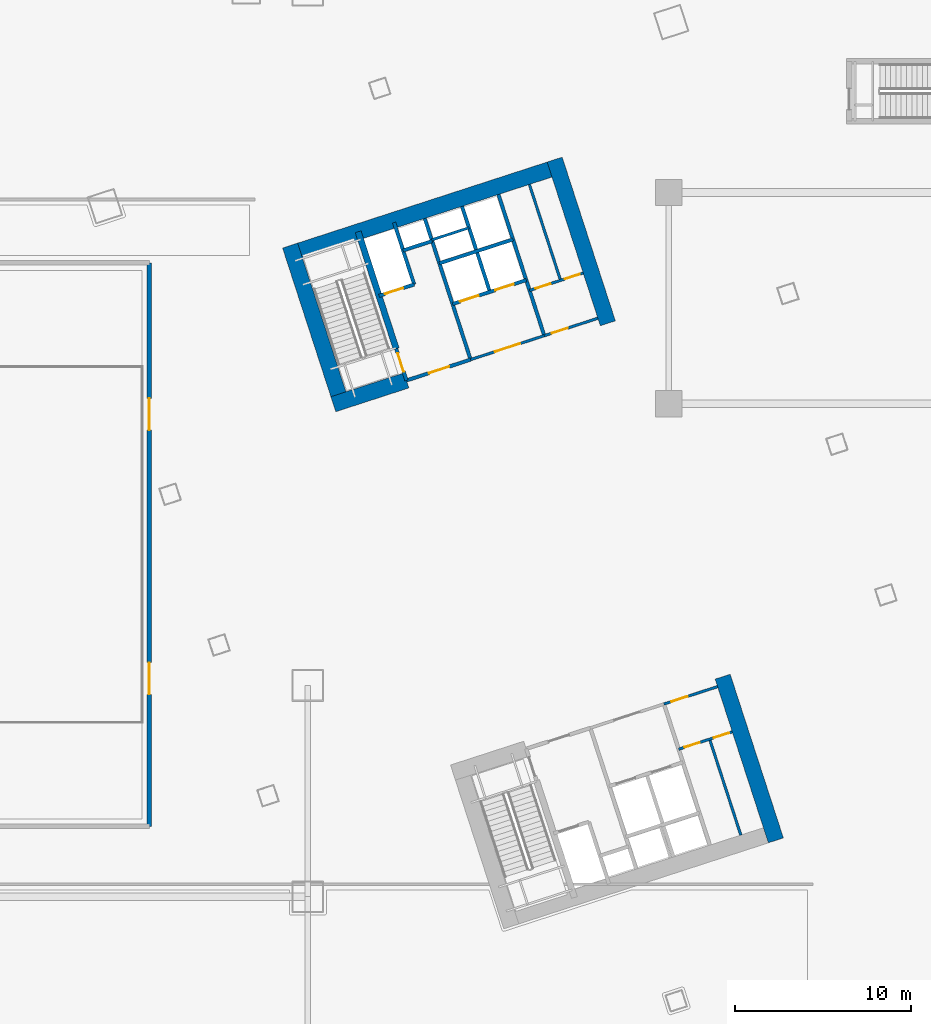
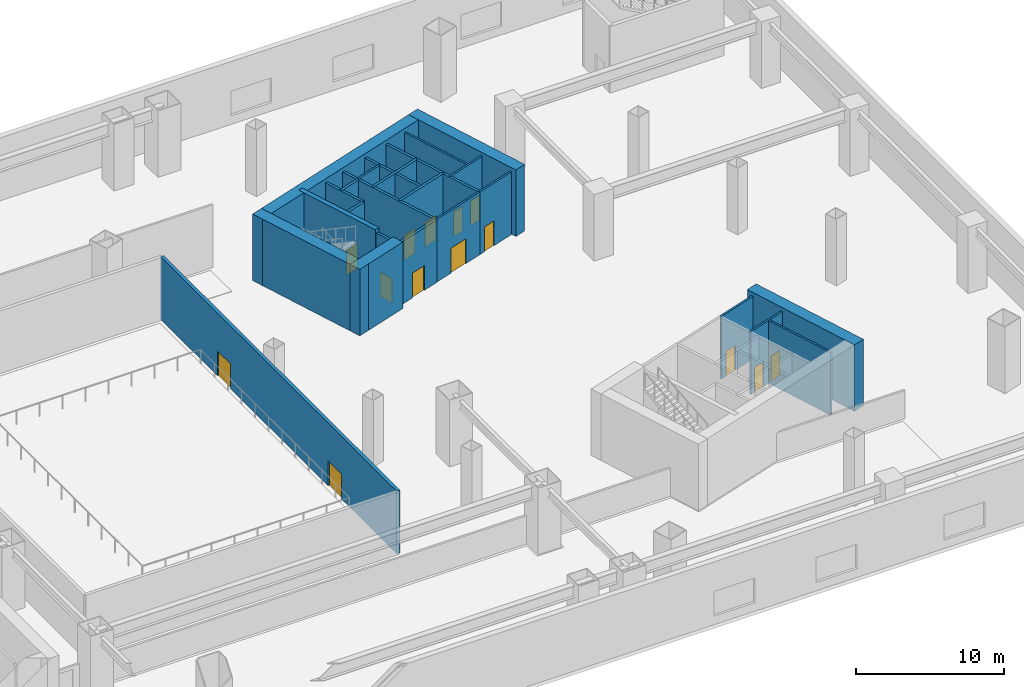
# One storey, part 27 of 35: 25 walls, 14 doors, 14 openings.
"""IFC4 building model written with IfcOpenShell, lengths in metres."""

from ifc_helpers import new_model, si_unit, direction, frame, frame_2d, origin, place, context, subcontext, project, spatial, rectangle, extrude, material, layer, layer_set, type_object, element, fill, save


model = new_model("IFC4")

# Units and contexts
model_context = context("Model", 3, precision=1e-05, world=origin(), true_north=direction((0.0, 1.0)))
body_context = subcontext(model_context, "Body", "Model", "MODEL_VIEW")
ifc_project = project(units=[si_unit("LENGTHUNIT", "METRE"), si_unit("AREAUNIT", "SQUARE_METRE"), si_unit("VOLUMEUNIT", "CUBIC_METRE"), si_unit("PLANEANGLEUNIT", "RADIAN"), si_unit("MASSUNIT", "GRAM", prefix="KILO")], contexts=[model_context])

# Site, building, storey
site_placement = place(None, origin())
site = spatial("IfcSite", under=ifc_project, at=site_placement, CompositionType="ELEMENT")
building_placement = place(site_placement, origin())
building = spatial("IfcBuilding", under=site, at=building_placement, Name="Qiaolan Cultural Towers", CompositionType="ELEMENT")
storey_placement = place(building_placement, frame((0.0, 0.0, 6.0)))
storey = spatial("IfcBuildingStorey", under=building, at=storey_placement, Name="L01", CompositionType="ELEMENT", Elevation=6.0)

# Walls
ifc_material_1 = material(Name="Concrete C50", Category="concrete")
ifc_layer_1 = layer(ifc_material_1, 0.35009765625)
ifc_layer_set_1 = layer_set([ifc_layer_1], Name="Concrete C50")
wall_type_1 = type_object("IfcWallType", Name="WL-CORE-350", PredefinedType="SHEAR", material=ifc_layer_set_1)
wall_1_placement = place(storey_placement, frame((82.513671875, 45.13134765625, 0.0), z_axis=(0.0, 0.0, 1.0), x_axis=(-0.308988790936, 0.951065679686, 0.0)))
element("IfcWall", 1, at=wall_1_placement, inside=storey, type_object=wall_type_1, Name="L01 T2-CN Stair Core Dividing Web", PredefinedType="SHEAR", context=body_context, shape_type="SweptSolid", body=[
    extrude(rectangle(XDim=6.97998046875, YDim=0.35009765625, at=frame_2d((3.489990234375, 0.0))), origin(), (0.0, 0.0, 1.0), 5.5),
])
ifc_material_2 = material(Name="Concrete C60", Category="concrete")
ifc_layer_2 = layer(ifc_material_2, 0.89990234375)
ifc_layer_set_2 = layer_set([ifc_layer_2], Name="Concrete C60")
wall_type_2 = type_object("IfcWallType", Name="WL-CORE-900", PredefinedType="SHEAR", material=ifc_layer_set_2)
wall_2_placement = place(storey_placement, frame((101.058837890625, 26.500244140625, 0.0), z_axis=(0.0, 0.0, 1.0), x_axis=(0.309021722829, -0.951054979914, 0.0)))
element("IfcWall", 2, at=wall_2_placement, inside=storey, type_object=wall_type_2, Name="L01 T2-CS East Core Shear Wall", PredefinedType="SHEAR", context=body_context, shape_type="SweptSolid", body=[
    extrude(rectangle(XDim=9.780029296875, YDim=0.89990234375, at=frame_2d((4.89013671875, 0.0))), origin(), (0.0, 0.0, 1.0), 5.5),
])
wall_3_placement = place(storey_placement, frame((76.20068359375, 50.41943359375, 0.0), z_axis=(0.0, 0.0, 1.0), x_axis=(0.951056412142, 0.309017314926, 0.0)))
element("IfcWall", 3, at=wall_3_placement, inside=storey, type_object=wall_type_2, Name="L01 T2-CN Outer Core Shear Wall", PredefinedType="SHEAR", context=body_context, shape_type="SweptSolid", body=[
    extrude(rectangle(XDim=16.7001953125, YDim=0.89990234375, at=frame_2d((8.35009765625, 0.0))), origin(), (0.0, 0.0, 1.0), 5.5),
])
for number, where, z_axis, x_axis, name in (
    (4, (79.511962890625, 41.68505859375, 0.0), (0.0, 0.0, 1.0), (-0.309021722829, 0.951054979914, 0.0), "L01 T2-CN West Core Shear Wall"),
    (5, (94.53857421875, 46.567626953125, 0.0), (0.0, 0.0, 1.0), (-0.309021722829, 0.951054979914, 0.0), "L01 T2-CN East Core Shear Wall"),
):
    element("IfcWall", number, at=place(storey_placement, frame(where, z_axis=z_axis, x_axis=x_axis)), inside=storey, type_object=wall_type_2, Name=name, PredefinedType="SHEAR", context=body_context, shape_type="SweptSolid", body=[
        extrude(rectangle(XDim=9.780029296875, YDim=0.89990234375, at=frame_2d((4.89013671875, 0.0))), origin(), (0.0, 0.0, 1.0), 5.5),
    ])
wall_4_placement = place(storey_placement, frame((78.94482421875, 41.97412109375, 0.0), z_axis=(0.0, 0.0, 1.0), x_axis=(0.951058289404, 0.309011537255, 0.0)))
element("IfcWall", 6, at=wall_4_placement, inside=storey, type_object=wall_type_2, Name="L01 T2-CN Stair Front Shear Wall", PredefinedType="SHEAR", context=body_context, shape_type="SweptSolid", body=[
    extrude(rectangle(XDim=4.369873046875, YDim=0.89990234375, at=frame_2d((2.18505859375, 0.0))), origin(), (0.0, 0.0, 1.0), 5.5),
])

# Wall, opening, door
ifc_material_3 = material(Name="Concrete C35 Fire Wall", Category="concrete")
ifc_layer_3 = layer(ifc_material_3, 0.199951171875)
ifc_layer_set_3 = layer_set([ifc_layer_3], Name="Concrete C35 Fire Wall")
wall_type_3 = type_object("IfcWallType", Name="WL-FIRE-200", PredefinedType="PARTITIONING", material=ifc_layer_set_3)
wall_5_placement = place(storey_placement, frame((83.100830078125, 43.324462890625, 0.0), z_axis=(0.0, 0.0, 1.0), x_axis=(-0.309048298632, 0.951046344356, 0.0)))
wall_5 = element("IfcWall", 7, at=wall_5_placement, inside=storey, type_object=wall_type_3, Name="L01 T2-CN Smokeproof Stair Entry Wall", PredefinedType="PARTITIONING", context=body_context, shape_type="SweptSolid", body=[
    extrude(rectangle(XDim=1.89990234375, YDim=0.199951171875, at=frame_2d((0.949951171875, 0.0))), origin(), (0.0, 0.0, 1.0), 5.18505859375),
])
opening_1_placement = place(wall_5_placement, frame((0.52001953125, 0.0, 0.0)))
opening_1 = element("IfcOpeningElement", 8, at=opening_1_placement, cuts=wall_5, Name="Opening FD-04", PredefinedType="OPENING", context=body_context, shape_type="SweptSolid", body=[
    extrude(rectangle(XDim=1.10009765625, YDim=2.050048828125, at=frame_2d((0.550048828125, 1.02490234375))), frame((0.0, 0.10986328125, 0.0), z_axis=(0.0, -1.0, 0.0), x_axis=(1.0, 0.0, 0.0)), (0.0, 0.0, 1.0), 0.219970703125),
])
ifc_material_4 = material(Name="Galvanized Steel Command Fire Door", Category="steel")
door_type_1 = type_object("IfcDoorType", Name="DR-FD90-1100", OperationType="NOTDEFINED", PredefinedType="DOOR", material=ifc_material_4)
door_1_placement = place(opening_1_placement, origin())
door_1 = element("IfcDoor", 9, at=door_1_placement, inside=storey, type_object=door_type_1, Name="L01 ST-E2 Smokeproof Stair Fire Door", OperationType="SINGLE_SWING_LEFT", OverallHeight=2.050048828125, OverallWidth=1.10009765625, PredefinedType="DOOR", context=body_context, shape_type="SweptSolid", body=[
    extrude(rectangle(XDim=1.10009765625, YDim=2.050048828125, at=frame_2d((0.550048828125, 1.02490234375))), frame((0.0, 0.02490234375, 0.0), z_axis=(0.0, -1.0, 0.0), x_axis=(1.0, 0.0, 0.0)), (0.0, 0.0, 1.0), 0.050048828125),
])
fill(opening_1, door_1)

# Wall
wall_6_placement = place(storey_placement, frame((86.743408203125, 44.508056640625, 0.0), z_axis=(0.0, 0.0, 1.0), x_axis=(-0.309016001439, 0.951056838919, 0.0)))
element("IfcWall", 10, at=wall_6_placement, inside=storey, type_object=wall_type_3, Name="L01 T2-CN Firefighting Zone Wall", PredefinedType="PARTITIONING", context=body_context, shape_type="SweptSolid", body=[
    extrude(rectangle(XDim=8.429931640625, YDim=0.199951171875, at=frame_2d((4.21484375, 0.0))), origin(), (0.0, 0.0, 1.0), 5.18505859375),
])

# Wall, opening, door
wall_7_placement = place(storey_placement, frame((83.100830078125, 43.324462890625, 0.0), z_axis=(0.0, 0.0, 1.0), x_axis=(0.951052804469, 0.309028417967, 0.0)))
wall_7 = element("IfcWall", 11, at=wall_7_placement, inside=storey, type_object=wall_type_3, Name="L01 T2-CN Firefighting Lobby Front Wall", PredefinedType="PARTITIONING", context=body_context, shape_type="SweptSolid", body=[
    extrude(rectangle(XDim=3.830078125, YDim=0.199951171875, at=frame_2d((1.9150390625, 0.0))), origin(), (0.0, 0.0, 1.0), 5.18505859375),
])
opening_2_placement = place(wall_7_placement, frame((1.35009765625, 0.0, 0.0)))
opening_2 = element("IfcOpeningElement", 12, at=opening_2_placement, cuts=wall_7, Name="Opening FD-03", PredefinedType="OPENING", context=body_context, shape_type="SweptSolid", body=[
    extrude(rectangle(XDim=1.199951171875, YDim=2.050048828125, at=frame_2d((0.60009765625, 1.02490234375))), frame((0.0, 0.10986328125, 0.0), z_axis=(0.0, -1.0, 0.0), x_axis=(1.0, 0.0, 0.0)), (0.0, 0.0, 1.0), 0.219970703125),
])
ifc_material_5 = material(Name="Galvanized Steel Smokeproof Lobby Fire Door", Category="steel")
door_type_2 = type_object("IfcDoorType", Name="DR-FD90-1200", OperationType="NOTDEFINED", PredefinedType="DOOR", material=ifc_material_5)
door_2_placement = place(opening_2_placement, origin())
door_2 = element("IfcDoor", 13, at=door_2_placement, inside=storey, type_object=door_type_2, Name="L01 FFL-E2 Firefighting Lobby Fire Door", OperationType="SINGLE_SWING_LEFT", OverallHeight=2.050048828125, OverallWidth=1.199951171875, PredefinedType="DOOR", context=body_context, shape_type="SweptSolid", body=[
    extrude(rectangle(XDim=1.199951171875, YDim=2.050048828125, at=frame_2d((0.60009765625, 1.02490234375))), frame((0.0, 0.02490234375, 0.0), z_axis=(0.0, -1.0, 0.0), x_axis=(1.0, 0.0, 0.0)), (0.0, 0.0, 1.0), 0.050048828125),
])
fill(opening_2, door_2)

wall_8_placement = place(storey_placement, frame((81.540283203125, 48.127197265625, 0.0), z_axis=(0.0, 0.0, 1.0), x_axis=(0.951062257173, 0.308999325213, 0.0)))
wall_8 = element("IfcWall", 14, at=wall_8_placement, inside=storey, type_object=wall_type_3, Name="L01 T2-CN Firefighting Shaft Front Wall", PredefinedType="PARTITIONING", context=body_context, shape_type="SweptSolid", body=[
    extrude(rectangle(XDim=2.10009765625, YDim=0.199951171875, at=frame_2d((1.050048828125, 0.0))), origin(), (0.0, 0.0, 1.0), 5.18505859375),
])
opening_3_placement = place(wall_8_placement, frame((0.35009765625, 0.0, 0.0)))
opening_3 = element("IfcOpeningElement", 15, at=opening_3_placement, cuts=wall_8, Name="Opening LD-01", PredefinedType="OPENING", context=body_context, shape_type="SweptSolid", body=[
    extrude(rectangle(XDim=1.10009765625, YDim=2.050048828125, at=frame_2d((0.550048828125, 1.02490234375))), frame((0.0, 0.10986328125, 0.0), z_axis=(0.0, -1.0, 0.0), x_axis=(1.0, 0.0, 0.0)), (0.0, 0.0, 1.0), 0.219970703125),
])
ifc_material_6 = material(Name="Brushed Stainless Steel S30408 Centre-Parting Lift Landing Door", Category="steel")
door_type_3 = type_object("IfcDoorType", Name="DR-LIFT-1100", OperationType="NOTDEFINED", PredefinedType="DOOR", material=ifc_material_6)
door_3_placement = place(opening_3_placement, origin())
door_3 = element("IfcDoor", 16, at=door_3_placement, inside=storey, type_object=door_type_3, Name="L01 FFL-E2 Firefighting Lift Landing Door", OperationType="DOUBLE_DOOR_SLIDING", OverallHeight=2.050048828125, OverallWidth=1.10009765625, PredefinedType="DOOR", context=body_context, shape_type="SweptSolid", body=[
    extrude(rectangle(XDim=1.10009765625, YDim=2.050048828125, at=frame_2d((0.550048828125, 1.02490234375))), frame((0.0, 0.02490234375, 0.0), z_axis=(0.0, -1.0, 0.0), x_axis=(1.0, 0.0, 0.0)), (0.0, 0.0, 1.0), 0.050048828125),
])
fill(opening_3, door_3)

# Walls
wall_9_placement = place(storey_placement, frame((83.53759765625, 48.776123046875, 0.0), z_axis=(0.0, 0.0, 1.0), x_axis=(-0.3089935693, 0.951064127245, 0.0)))
element("IfcWall", 17, at=wall_9_placement, inside=storey, type_object=wall_type_3, Name="L01 T2-CN Firefighting Hoistway East Wall", PredefinedType="PARTITIONING", context=body_context, shape_type="SweptSolid", body=[
    extrude(rectangle(XDim=3.7001953125, YDim=0.199951171875, at=frame_2d((1.85009765625, 0.0))), origin(), (0.0, 0.0, 1.0), 5.18505859375),
])
wall_10_placement = place(storey_placement, frame((82.910400390625, 50.706787109375, 0.0), z_axis=(0.0, 0.0, 1.0), x_axis=(0.951041328149, 0.309063734775, 0.0)))
element("IfcWall", 18, at=wall_10_placement, inside=storey, type_object=wall_type_3, Name="L01 T2-CN Pressurization Shaft Front Wall", PredefinedType="PARTITIONING", context=body_context, shape_type="SweptSolid", body=[
    extrude(rectangle(XDim=1.72998046875, YDim=0.199951171875, at=frame_2d((0.864990234375, 0.0))), origin(), (0.0, 0.0, 1.0), 5.18505859375),
])
wall_11_placement = place(storey_placement, frame((90.92822265625, 45.86767578125, 0.0), z_axis=(0.0, 0.0, 1.0), x_axis=(-0.309042196757, 0.951048327176, 0.0)))
element("IfcWall", 19, at=wall_11_placement, inside=storey, type_object=wall_type_3, Name="L01 T2-CN Lift Core East Wall", PredefinedType="PARTITIONING", context=body_context, shape_type="SweptSolid", body=[
    extrude(rectangle(XDim=8.429931640625, YDim=0.199951171875, at=frame_2d((4.21484375, 0.0))), origin(), (0.0, 0.0, 1.0), 5.18505859375),
])

# Wall, openings, doors
wall_12_placement = place(storey_placement, frame((85.717529296875, 47.66552734375, 0.0), z_axis=(0.0, 0.0, 1.0), x_axis=(0.951058531764, 0.30901079133, 0.0)))
wall_12 = element("IfcWall", 20, at=wall_12_placement, inside=storey, type_object=wall_type_3, Name="L01 T2-CN Passenger Lift Shaft Front Wall", PredefinedType="PARTITIONING", context=body_context, shape_type="SweptSolid", body=[
    extrude(rectangle(XDim=4.39990234375, YDim=0.199951171875, at=frame_2d((2.199951171875, 0.0))), origin(), (0.0, 0.0, 1.0), 5.18505859375),
])
opening_4_placement = place(wall_12_placement, frame((0.449951171875, 0.0, 0.0)))
opening_4 = element("IfcOpeningElement", 21, at=opening_4_placement, cuts=wall_12, Name="Opening LD-01", PredefinedType="OPENING", context=body_context, shape_type="SweptSolid", body=[
    extrude(rectangle(XDim=1.10009765625, YDim=2.050048828125, at=frame_2d((0.550048828125, 1.02490234375))), frame((0.0, 0.10986328125, 0.0), z_axis=(0.0, -1.0, 0.0), x_axis=(1.0, 0.0, 0.0)), (0.0, 0.0, 1.0), 0.219970703125),
])
opening_5_placement = place(wall_12_placement, frame((2.550048828125, 0.0, 0.0)))
opening_5 = element("IfcOpeningElement", 22, at=opening_5_placement, cuts=wall_12, Name="Opening LD-01", PredefinedType="OPENING", context=body_context, shape_type="SweptSolid", body=[
    extrude(rectangle(XDim=1.10009765625, YDim=2.050048828125, at=frame_2d((0.550048828125, 1.02490234375))), frame((0.0, 0.10986328125, 0.0), z_axis=(0.0, -1.0, 0.0), x_axis=(1.0, 0.0, 0.0)), (0.0, 0.0, 1.0), 0.219970703125),
])
door_4_placement = place(opening_4_placement, origin())
door_4 = element("IfcDoor", 23, at=door_4_placement, inside=storey, type_object=door_type_3, Name="L01 Passenger Lift 1 Landing Door", OperationType="DOUBLE_DOOR_SLIDING", OverallHeight=2.050048828125, OverallWidth=1.10009765625, PredefinedType="DOOR", context=body_context, shape_type="SweptSolid", body=[
    extrude(rectangle(XDim=1.10009765625, YDim=2.050048828125, at=frame_2d((0.550048828125, 1.02490234375))), frame((0.0, 0.02490234375, 0.0), z_axis=(0.0, -1.0, 0.0), x_axis=(1.0, 0.0, 0.0)), (0.0, 0.0, 1.0), 0.050048828125),
])
fill(opening_4, door_4)
door_5_placement = place(opening_5_placement, origin())
door_5 = element("IfcDoor", 24, at=door_5_placement, inside=storey, type_object=door_type_3, Name="L01 Passenger Lift 2 Landing Door", OperationType="DOUBLE_DOOR_SLIDING", OverallHeight=2.050048828125, OverallWidth=1.10009765625, PredefinedType="DOOR", context=body_context, shape_type="SweptSolid", body=[
    extrude(rectangle(XDim=1.10009765625, YDim=2.050048828125, at=frame_2d((0.550048828125, 1.02490234375))), frame((0.0, 0.02490234375, 0.0), z_axis=(0.0, -1.0, 0.0), x_axis=(1.0, 0.0, 0.0)), (0.0, 0.0, 1.0), 0.050048828125),
])
fill(opening_5, door_5)

# Walls
wall_13_placement = place(storey_placement, frame((87.83837890625, 48.3544921875, 0.0), z_axis=(0.0, 0.0, 1.0), x_axis=(-0.3090093719, 0.951058992953, 0.0)))
element("IfcWall", 25, at=wall_13_placement, inside=storey, type_object=wall_type_3, Name="L01 T2-CN Lift Shaft Divider Wall", PredefinedType="PARTITIONING", context=body_context, shape_type="SweptSolid", body=[
    extrude(rectangle(XDim=5.110107421875, YDim=0.199951171875, at=frame_2d((2.55517578125, 0.0))), origin(), (0.0, 0.0, 1.0), 5.18505859375),
])
wall_14_placement = place(storey_placement, frame((84.966552734375, 49.9765625, 0.0), z_axis=(0.0, 0.0, 1.0), x_axis=(0.951063829732, 0.308994485023, 0.0)))
element("IfcWall", 26, at=wall_14_placement, inside=storey, type_object=wall_type_3, Name="L01 T2-CN Passenger Lift Shaft Back Wall", PredefinedType="PARTITIONING", context=body_context, shape_type="SweptSolid", body=[
    extrude(rectangle(XDim=4.400146484375, YDim=0.199951171875, at=frame_2d((2.2001953125, 0.0))), origin(), (0.0, 0.0, 1.0), 5.18505859375),
])

# Wall, openings, doors
wall_15_placement = place(storey_placement, frame((68.5, 18.0, 0.0), z_axis=(0.0, 0.0, 1.0), x_axis=(0.0, 1.0, 0.0)))
wall_15 = element("IfcWall", 27, at=wall_15_placement, inside=storey, type_object=wall_type_3, Name="L01 Podium Partition AUD-E", PredefinedType="PARTITIONING", context=body_context, shape_type="SweptSolid", body=[
    extrude(rectangle(XDim=32.0, YDim=0.25, at=frame_2d((16.0, 0.0))), origin(), (0.0, 0.0, 1.0), 5.18505859375),
])
opening_6_placement = place(wall_15_placement, frame((7.5, 0.0, 0.0)))
opening_6 = element("IfcOpeningElement", 28, at=opening_6_placement, cuts=wall_15, Name="Opening FD-01", PredefinedType="OPENING", context=body_context, shape_type="SweptSolid", body=[
    extrude(rectangle(XDim=1.800048828125, YDim=2.050048828125, at=frame_2d((0.89990234375, 1.02490234375))), frame((0.0, 0.135009765625, 0.0), z_axis=(0.0, -1.0, 0.0), x_axis=(1.0, 0.0, 0.0)), (0.0, 0.0, 1.0), 0.27001953125),
])
opening_7_placement = place(wall_15_placement, frame((22.5, 0.0, 0.0)))
opening_7 = element("IfcOpeningElement", 29, at=opening_7_placement, cuts=wall_15, Name="Opening FD-01", PredefinedType="OPENING", context=body_context, shape_type="SweptSolid", body=[
    extrude(rectangle(XDim=1.800048828125, YDim=2.050048828125, at=frame_2d((0.89990234375, 1.02490234375))), frame((0.0, 0.135009765625, 0.0), z_axis=(0.0, -1.0, 0.0), x_axis=(1.0, 0.0, 0.0)), (0.0, 0.0, 1.0), 0.27001953125),
])
ifc_material_7 = material(Name="Galvanized Steel Acoustic Fire Door", Category="steel")
door_type_4 = type_object("IfcDoorType", Name="DR-FD90-1800", OperationType="NOTDEFINED", PredefinedType="DOOR", material=ifc_material_7)
door_6_placement = place(opening_6_placement, origin())
door_6 = element("IfcDoor", 30, at=door_6_placement, inside=storey, type_object=door_type_4, Name="Auditorium East Acoustic Exit Door 1", OperationType="SINGLE_SWING_LEFT", OverallHeight=2.050048828125, OverallWidth=1.800048828125, PredefinedType="DOOR", context=body_context, shape_type="SweptSolid", body=[
    extrude(rectangle(XDim=1.800048828125, YDim=2.050048828125, at=frame_2d((0.89990234375, 1.02490234375))), frame((0.0, 0.02490234375, 0.0), z_axis=(0.0, -1.0, 0.0), x_axis=(1.0, 0.0, 0.0)), (0.0, 0.0, 1.0), 0.050048828125),
])
fill(opening_6, door_6)
door_7_placement = place(opening_7_placement, origin())
door_7 = element("IfcDoor", 31, at=door_7_placement, inside=storey, type_object=door_type_4, Name="Auditorium East Acoustic Exit Door 2", OperationType="SINGLE_SWING_RIGHT", OverallHeight=2.050048828125, OverallWidth=1.800048828125, PredefinedType="DOOR", context=body_context, shape_type="SweptSolid", body=[
    extrude(rectangle(XDim=1.800048828125, YDim=2.050048828125, at=frame_2d((0.89990234375, 1.02490234375))), frame((0.0, 0.02490234375, 0.0), z_axis=(0.0, -1.0, 0.0), x_axis=(1.0, 0.0, 0.0)), (0.0, 0.0, 1.0), 0.050048828125),
])
fill(opening_7, door_7)

# Wall, opening, door
ifc_material_8 = material(Name="Autoclaved Aerated Concrete Block B06", Category="concrete")
ifc_layer_4 = layer(ifc_material_8, 0.14990234375)
ifc_layer_set_4 = layer_set([ifc_layer_4], Name="Autoclaved Aerated Concrete Block B06")
wall_type_4 = type_object("IfcWallType", Name="WL-PART-150", PredefinedType="PARTITIONING", material=ifc_layer_set_4)
wall_16_placement = place(storey_placement, frame((97.7265625, 24.9443359375, 0.0), z_axis=(0.0, 0.0, 1.0), x_axis=(0.951036872128, 0.309077446369, 0.0)))
wall_16 = element("IfcWall", 32, at=wall_16_placement, inside=storey, type_object=wall_type_4, Name="L01 T2-CS Sanitary Core Front Wall", PredefinedType="PARTITIONING", context=body_context, shape_type="SweptSolid", body=[
    extrude(rectangle(XDim=3.199951171875, YDim=0.14990234375, at=frame_2d((1.60009765625, 0.0))), origin(), (0.0, 0.0, 1.0), 5.18505859375),
])
opening_8_placement = place(wall_16_placement, frame((0.449951171875, 0.0, 0.0)))
opening_8 = element("IfcOpeningElement", 33, at=opening_8_placement, cuts=wall_16, Name="Opening ID-05", PredefinedType="OPENING", context=body_context, shape_type="SweptSolid", body=[
    extrude(rectangle(XDim=0.949951171875, YDim=2.050048828125, at=frame_2d((0.47509765625, 1.02490234375))), frame((0.0, 0.0849609375, 0.0), z_axis=(0.0, -1.0, 0.0), x_axis=(1.0, 0.0, 0.0)), (0.0, 0.0, 1.0), 0.169921875),
])
ifc_material_9 = material(Name="Fire-Rated Laminate Accessible Core Door", Category="timber")
door_type_5 = type_object("IfcDoorType", Name="DR-INT-950", OperationType="NOTDEFINED", PredefinedType="DOOR", material=ifc_material_9)
door_8_placement = place(opening_8_placement, origin())
door_8 = element("IfcDoor", 34, at=door_8_placement, inside=storey, type_object=door_type_5, Name="L01 Sanitary Vestibule Door", OperationType="SINGLE_SWING_LEFT", OverallHeight=2.050048828125, OverallWidth=0.949951171875, PredefinedType="DOOR", context=body_context, shape_type="SweptSolid", body=[
    extrude(rectangle(XDim=0.949951171875, YDim=2.050048828125, at=frame_2d((0.47509765625, 1.02490234375))), frame((0.0, 0.02490234375, 0.0), z_axis=(0.0, -1.0, 0.0), x_axis=(1.0, 0.0, 0.0)), (0.0, 0.0, 1.0), 0.050048828125),
])
fill(opening_8, door_8)

# Wall, openings, doors
wall_17_placement = place(storey_placement, frame((98.560791015625, 22.37646484375, 0.0), z_axis=(0.0, 0.0, 1.0), x_axis=(0.95104415986, 0.309055020985, 0.0)))
wall_17 = element("IfcWall", 35, at=wall_17_placement, inside=storey, type_object=wall_type_4, Name="L01 T2-CS Restroom Vestibule Wall", PredefinedType="PARTITIONING", context=body_context, shape_type="SweptSolid", body=[
    extrude(rectangle(XDim=3.2001953125, YDim=0.14990234375, at=frame_2d((1.60009765625, 0.0))), origin(), (0.0, 0.0, 1.0), 5.18505859375),
])
opening_9_placement = place(wall_17_placement, frame((0.35009765625, 0.0, 0.0)))
opening_9 = element("IfcOpeningElement", 36, at=opening_9_placement, cuts=wall_17, Name="Opening ID-06", PredefinedType="OPENING", context=body_context, shape_type="SweptSolid", body=[
    extrude(rectangle(XDim=0.89990234375, YDim=2.050048828125, at=frame_2d((0.449951171875, 1.02490234375))), frame((0.0, 0.0849609375, 0.0), z_axis=(0.0, -1.0, 0.0), x_axis=(1.0, 0.0, 0.0)), (0.0, 0.0, 1.0), 0.169921875),
])
opening_10_placement = place(wall_17_placement, frame((2.10009765625, 0.0, 0.0)))
opening_10 = element("IfcOpeningElement", 37, at=opening_10_placement, cuts=wall_17, Name="Opening ID-06", PredefinedType="OPENING", context=body_context, shape_type="SweptSolid", body=[
    extrude(rectangle(XDim=0.89990234375, YDim=2.050048828125, at=frame_2d((0.449951171875, 1.02490234375))), frame((0.0, 0.0849609375, 0.0), z_axis=(0.0, -1.0, 0.0), x_axis=(1.0, 0.0, 0.0)), (0.0, 0.0, 1.0), 0.169921875),
])
ifc_material_10 = material(Name="Fire-Rated Laminate Core Service Door", Category="timber")
door_type_6 = type_object("IfcDoorType", Name="DR-INT-900", OperationType="NOTDEFINED", PredefinedType="DOOR", material=ifc_material_10)
door_9_placement = place(opening_9_placement, origin())
door_9 = element("IfcDoor", 38, at=door_9_placement, inside=storey, type_object=door_type_6, Name="L01 Men Restroom Door", OperationType="SINGLE_SWING_LEFT", OverallHeight=2.050048828125, OverallWidth=0.89990234375, PredefinedType="DOOR", context=body_context, shape_type="SweptSolid", body=[
    extrude(rectangle(XDim=0.89990234375, YDim=2.050048828125, at=frame_2d((0.449951171875, 1.02490234375))), frame((0.0, 0.02490234375, 0.0), z_axis=(0.0, -1.0, 0.0), x_axis=(1.0, 0.0, 0.0)), (0.0, 0.0, 1.0), 0.050048828125),
])
fill(opening_9, door_9)
door_10_placement = place(opening_10_placement, origin())
door_10 = element("IfcDoor", 39, at=door_10_placement, inside=storey, type_object=door_type_6, Name="L01 Accessible & Women Restroom Door", OperationType="SINGLE_SWING_RIGHT", OverallHeight=2.050048828125, OverallWidth=0.89990234375, PredefinedType="DOOR", context=body_context, shape_type="SweptSolid", body=[
    extrude(rectangle(XDim=0.89990234375, YDim=2.050048828125, at=frame_2d((0.449951171875, 1.02490234375))), frame((0.0, 0.02490234375, 0.0), z_axis=(0.0, -1.0, 0.0), x_axis=(1.0, 0.0, 0.0)), (0.0, 0.0, 1.0), 0.050048828125),
])
fill(opening_10, door_10)

# Wall
wall_18_placement = place(storey_placement, frame((100.3203125, 22.9482421875, 0.0), z_axis=(0.0, 0.0, 1.0), x_axis=(0.309035009867, -0.951050662518, 0.0)))
element("IfcWall", 40, at=wall_18_placement, inside=storey, type_object=wall_type_4, Name="L01 T2-CS Restroom Divider Wall", PredefinedType="PARTITIONING", context=body_context, shape_type="SweptSolid", body=[
    extrude(rectangle(XDim=5.72998046875, YDim=0.14990234375, at=frame_2d((2.864990234375, 0.0))), origin(), (0.0, 0.0, 1.0), 5.18505859375),
])

# Wall, opening, door
wall_19_placement = place(storey_placement, frame((86.743408203125, 44.508056640625, 0.0), z_axis=(0.0, 0.0, 1.0), x_axis=(0.951063829732, 0.308994485023, 0.0)))
wall_19 = element("IfcWall", 41, at=wall_19_placement, inside=storey, type_object=wall_type_4, Name="L01 T2-CN Passenger Lift Lobby Front Wall", PredefinedType="PARTITIONING", context=body_context, shape_type="SweptSolid", body=[
    extrude(rectangle(XDim=4.400146484375, YDim=0.14990234375, at=frame_2d((2.2001953125, 0.0))), origin(), (0.0, 0.0, 1.0), 5.18505859375),
])
opening_11_placement = place(wall_19_placement, frame((1.449951171875, 0.0, 0.0)))
opening_11 = element("IfcOpeningElement", 42, at=opening_11_placement, cuts=wall_19, Name="Opening FD-05", PredefinedType="OPENING", context=body_context, shape_type="SweptSolid", body=[
    extrude(rectangle(XDim=1.5, YDim=2.050048828125, at=frame_2d((0.75, 1.02490234375))), frame((0.0, 0.0849609375, 0.0), z_axis=(0.0, -1.0, 0.0), x_axis=(1.0, 0.0, 0.0)), (0.0, 0.0, 1.0), 0.169921875),
])
ifc_material_11 = material(Name="Painted Steel Lift Lobby Fire Door", Category="steel")
door_type_7 = type_object("IfcDoorType", Name="DR-FD60-1500", OperationType="NOTDEFINED", PredefinedType="DOOR", material=ifc_material_11)
door_11_placement = place(opening_11_placement, origin())
door_11 = element("IfcDoor", 43, at=door_11_placement, inside=storey, type_object=door_type_7, Name="L01 Passenger Lift Lobby Entrance", OperationType="SINGLE_SWING_LEFT", OverallHeight=2.050048828125, OverallWidth=1.5, PredefinedType="DOOR", context=body_context, shape_type="SweptSolid", body=[
    extrude(rectangle(XDim=1.5, YDim=2.050048828125, at=frame_2d((0.75, 1.02490234375))), frame((0.0, 0.02490234375, 0.0), z_axis=(0.0, -1.0, 0.0), x_axis=(1.0, 0.0, 0.0)), (0.0, 0.0, 1.0), 0.050048828125),
])
fill(opening_11, door_11)

# Wall
wall_20_placement = place(storey_placement, frame((84.533935546875, 51.30810546875, 0.0), z_axis=(0.0, 0.0, 1.0), x_axis=(0.951075093106, 0.308959814982, 0.0)))
element("IfcWall", 44, at=wall_20_placement, inside=storey, type_object=wall_type_4, Name="L01 T2-CN Core Rear Riser Split", PredefinedType="PARTITIONING", context=body_context, shape_type="SweptSolid", body=[
    extrude(rectangle(XDim=2.22998046875, YDim=0.14990234375, at=frame_2d((1.114990234375, 0.0))), origin(), (0.0, 0.0, 1.0), 5.18505859375),
])

# Wall, opening, door
wall_21_placement = place(storey_placement, frame((90.92822265625, 45.86767578125, 0.0), z_axis=(0.0, 0.0, 1.0), x_axis=(0.951059297078, 0.309008435874, 0.0)))
wall_21 = element("IfcWall", 45, at=wall_21_placement, inside=storey, type_object=wall_type_4, Name="L01 T2-CN Sanitary Core Front Wall", PredefinedType="PARTITIONING", context=body_context, shape_type="SweptSolid", body=[
    extrude(rectangle(XDim=3.19970703125, YDim=0.14990234375, at=frame_2d((1.599853515625, 0.0))), origin(), (0.0, 0.0, 1.0), 5.18505859375),
])
opening_12_placement = place(wall_21_placement, frame((0.449951171875, 0.0, 0.0)))
opening_12 = element("IfcOpeningElement", 46, at=opening_12_placement, cuts=wall_21, Name="Opening ID-05", PredefinedType="OPENING", context=body_context, shape_type="SweptSolid", body=[
    extrude(rectangle(XDim=0.949951171875, YDim=2.050048828125, at=frame_2d((0.47509765625, 1.02490234375))), frame((0.0, 0.0849609375, 0.0), z_axis=(0.0, -1.0, 0.0), x_axis=(1.0, 0.0, 0.0)), (0.0, 0.0, 1.0), 0.169921875),
])
door_12_placement = place(opening_12_placement, origin())
door_12 = element("IfcDoor", 47, at=door_12_placement, inside=storey, type_object=door_type_5, Name="L01 Sanitary Vestibule Door", OperationType="SINGLE_SWING_LEFT", OverallHeight=2.050048828125, OverallWidth=0.949951171875, PredefinedType="DOOR", context=body_context, shape_type="SweptSolid", body=[
    extrude(rectangle(XDim=0.949951171875, YDim=2.050048828125, at=frame_2d((0.47509765625, 1.02490234375))), frame((0.0, 0.02490234375, 0.0), z_axis=(0.0, -1.0, 0.0), x_axis=(1.0, 0.0, 0.0)), (0.0, 0.0, 1.0), 0.050048828125),
])
fill(opening_12, door_12)

# Wall, openings, doors
wall_22_placement = place(storey_placement, frame((90.09375, 48.435546875, 0.0), z_axis=(0.0, 0.0, 1.0), x_axis=(0.951066581729, 0.308986014439, 0.0)))
wall_22 = element("IfcWall", 48, at=wall_22_placement, inside=storey, type_object=wall_type_4, Name="L01 T2-CN Restroom Vestibule Wall", PredefinedType="PARTITIONING", context=body_context, shape_type="SweptSolid", body=[
    extrude(rectangle(XDim=3.199951171875, YDim=0.14990234375, at=frame_2d((1.60009765625, 0.0))), origin(), (0.0, 0.0, 1.0), 5.18505859375),
])
opening_13_placement = place(wall_22_placement, frame((0.35009765625, 0.0, 0.0)))
opening_13 = element("IfcOpeningElement", 49, at=opening_13_placement, cuts=wall_22, Name="Opening ID-06", PredefinedType="OPENING", context=body_context, shape_type="SweptSolid", body=[
    extrude(rectangle(XDim=0.89990234375, YDim=2.050048828125, at=frame_2d((0.449951171875, 1.02490234375))), frame((0.0, 0.0849609375, 0.0), z_axis=(0.0, -1.0, 0.0), x_axis=(1.0, 0.0, 0.0)), (0.0, 0.0, 1.0), 0.169921875),
])
opening_14_placement = place(wall_22_placement, frame((2.10009765625, 0.0, 0.0)))
opening_14 = element("IfcOpeningElement", 50, at=opening_14_placement, cuts=wall_22, Name="Opening ID-06", PredefinedType="OPENING", context=body_context, shape_type="SweptSolid", body=[
    extrude(rectangle(XDim=0.89990234375, YDim=2.050048828125, at=frame_2d((0.449951171875, 1.02490234375))), frame((0.0, 0.0849609375, 0.0), z_axis=(0.0, -1.0, 0.0), x_axis=(1.0, 0.0, 0.0)), (0.0, 0.0, 1.0), 0.169921875),
])
door_13_placement = place(opening_13_placement, origin())
door_13 = element("IfcDoor", 51, at=door_13_placement, inside=storey, type_object=door_type_6, Name="L01 Men Restroom Door", OperationType="SINGLE_SWING_LEFT", OverallHeight=2.050048828125, OverallWidth=0.89990234375, PredefinedType="DOOR", context=body_context, shape_type="SweptSolid", body=[
    extrude(rectangle(XDim=0.89990234375, YDim=2.050048828125, at=frame_2d((0.449951171875, 1.02490234375))), frame((0.0, 0.02490234375, 0.0), z_axis=(0.0, -1.0, 0.0), x_axis=(1.0, 0.0, 0.0)), (0.0, 0.0, 1.0), 0.050048828125),
])
fill(opening_13, door_13)
door_14_placement = place(opening_14_placement, origin())
door_14 = element("IfcDoor", 52, at=door_14_placement, inside=storey, type_object=door_type_6, Name="L01 Accessible & Women Restroom Door", OperationType="SINGLE_SWING_RIGHT", OverallHeight=2.050048828125, OverallWidth=0.89990234375, PredefinedType="DOOR", context=body_context, shape_type="SweptSolid", body=[
    extrude(rectangle(XDim=0.89990234375, YDim=2.050048828125, at=frame_2d((0.449951171875, 1.02490234375))), frame((0.0, 0.02490234375, 0.0), z_axis=(0.0, -1.0, 0.0), x_axis=(1.0, 0.0, 0.0)), (0.0, 0.0, 1.0), 0.050048828125),
])
fill(opening_14, door_14)

# Wall
wall_23_placement = place(storey_placement, frame((91.853271484375, 49.007080078125, 0.0), z_axis=(0.0, 0.0, 1.0), x_axis=(-0.309022487551, 0.951054731437, 0.0)))
element("IfcWall", 53, at=wall_23_placement, inside=storey, type_object=wall_type_4, Name="L01 T2-CN Restroom Divider Wall", PredefinedType="PARTITIONING", context=body_context, shape_type="SweptSolid", body=[
    extrude(rectangle(XDim=5.730224609375, YDim=0.14990234375, at=frame_2d((2.865234375, 0.0))), origin(), (0.0, 0.0, 1.0), 5.18505859375),
])

save(model, "model.ifc")
